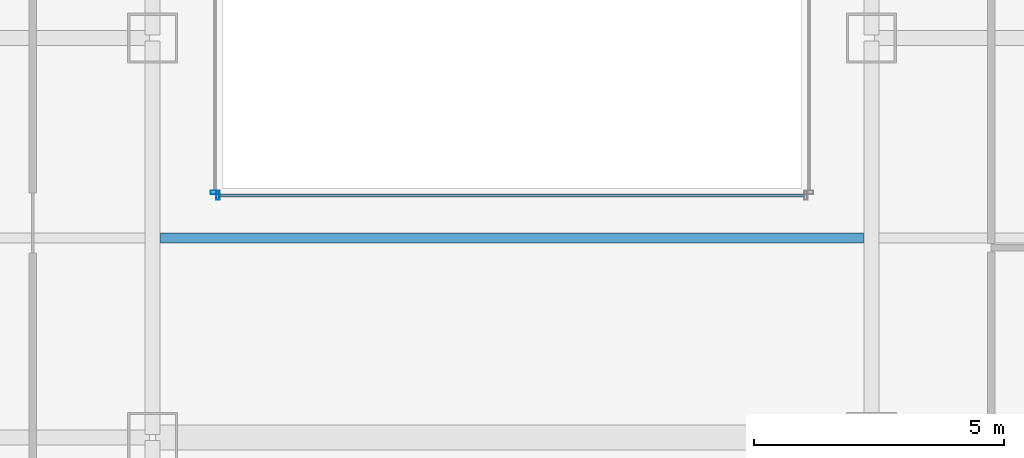
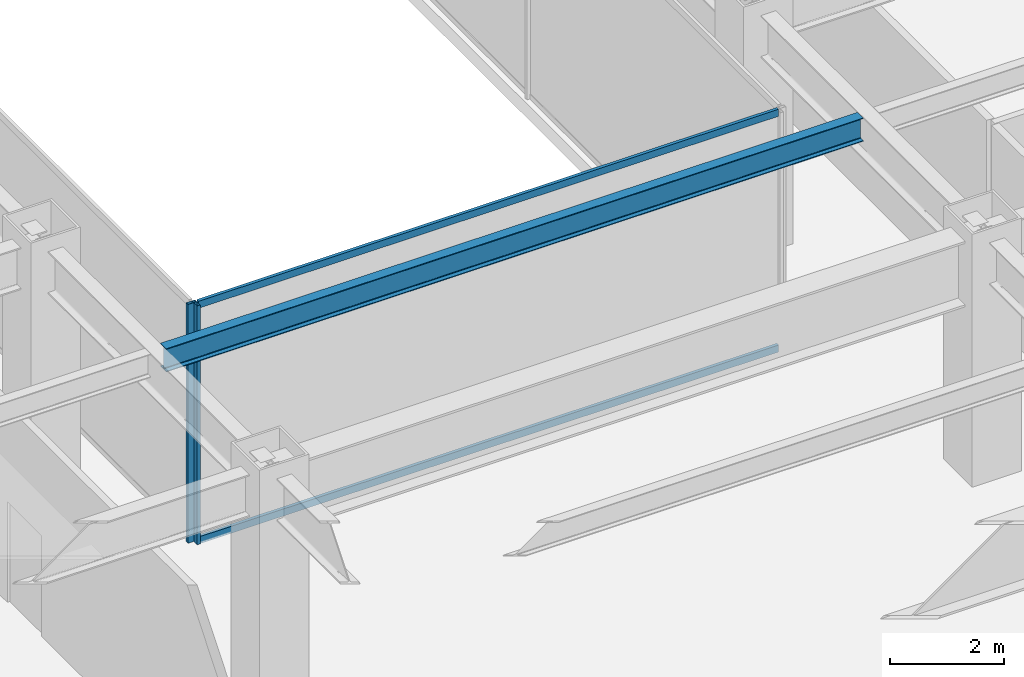
# One storey, part 12 of 52: 4 members, 1 beam, 2 elements without a shape of their own.
"""IFC4 building model written with IfcOpenShell, lengths in metres."""

import ifcopenshell
import ifcopenshell.guid

model = None  # the IFC model being written
_history = None  # IfcOwnerHistory: only IFC2X3 demands one
_inside = {}  # id of a spatial element -> (the spatial element, [elements in it])
_under = {}  # id of a project, library or spatial element -> (it, [spatial elements below it])
_declared = {}  # id of a project -> (the project, [libraries it declares])
_typed = {}  # id of a type object -> (the type object, [elements of that type])
_made_of = {}  # id of a material, layer set ... -> (it, [elements and type objects made of it])


def new_model(schema):
    """Start an empty IFC model of exactly this schema.

    Asked for "IFC4X3", IfcOpenShell would pick the latest addendum, in which some entities
    have other attributes; the version numbers below select the first issue.
    IFC2X3 requires an IfcOwnerHistory on every rooted entity: one is made here for all.
    """
    global model, _history
    if schema == "IFC4X3":
        model = ifcopenshell.file(schema_version=(4, 3, 0, 0))
    else:
        model = ifcopenshell.file(schema=schema)
    _inside.clear()
    _under.clear()
    _declared.clear()
    _typed.clear()
    _made_of.clear()
    _history = None
    if model.schema == "IFC2X3":
        org = make("IfcOrganization", Name="unknown")
        user = make(
            "IfcPersonAndOrganization",
            ThePerson=make("IfcPerson", FamilyName="unknown"),
            TheOrganization=org,
        )
        app = make(
            "IfcApplication",
            ApplicationDeveloper=org,
            Version="unknown",
            ApplicationFullName="unknown",
            ApplicationIdentifier="unknown",
        )
        _history = make(
            "IfcOwnerHistory",
            OwningUser=user,
            OwningApplication=app,
            ChangeAction="ADDED",
            CreationDate=0,
        )
    return model


def make(cls, **values):
    """One entity of the class cls with the attributes given. An attribute that is None is left unset."""
    return model.create_entity(
        cls, **{name: value for name, value in values.items() if value is not None}
    )


def rooted(cls, **values):
    """An entity with a GlobalId (a new one), such as an element, a storey or a relation."""
    return make(cls, GlobalId=ifcopenshell.guid.new(), OwnerHistory=_history, **values)


def si_unit(unit_type, name, prefix=None):
    """IfcSIUnit, for example si_unit("LENGTHUNIT", "METRE", prefix="MILLI")."""
    return make("IfcSIUnit", UnitType=unit_type, Prefix=prefix, Name=name)


def assignment(units):
    """IfcUnitAssignment: the units of a project."""
    return None if units is None else make("IfcUnitAssignment", Units=units)


def point(xyz):
    """IfcCartesianPoint."""
    return None if xyz is None else make("IfcCartesianPoint", Coordinates=xyz)


def direction(xyz):
    """IfcDirection."""
    return None if xyz is None else make("IfcDirection", DirectionRatios=xyz)


def frame(location, z_axis=None, x_axis=None):
    """IfcAxis2Placement3D, a coordinate frame: its origin and axes. An axis left out is left unset."""
    return make(
        "IfcAxis2Placement3D",
        Location=point(location),
        Axis=direction(z_axis),
        RefDirection=direction(x_axis),
    )


def frame_2d(location, x_axis=None):
    """IfcAxis2Placement2D, a coordinate frame in the plane: its origin and x axis."""
    return make(
        "IfcAxis2Placement2D", Location=point(location), RefDirection=direction(x_axis)
    )


def origin():
    """The frame at (0, 0, 0) with its axes left unset."""
    return frame((0.0, 0.0, 0.0))


def origin_2d():
    """The frame at (0, 0) in the plane with its x axis left unset."""
    return frame_2d((0.0, 0.0))


def place(relative_to, where):
    """IfcLocalPlacement: puts the frame where relative to a parent placement (None: the world)."""
    return make(
        "IfcLocalPlacement", PlacementRelTo=relative_to, RelativePlacement=where
    )


def context(
    kind, dimensions, precision=None, world=None, true_north=None, identifier=None
):
    """IfcGeometricRepresentationContext, for example the 3D "Model" context."""
    return make(
        "IfcGeometricRepresentationContext",
        ContextIdentifier=identifier,
        ContextType=kind,
        CoordinateSpaceDimension=dimensions,
        Precision=precision,
        WorldCoordinateSystem=world,
        TrueNorth=true_north,
    )


def subcontext(parent, identifier, kind, view, scale=None):
    """IfcGeometricRepresentationSubContext, for example "Body" below "Model"."""
    return make(
        "IfcGeometricRepresentationSubContext",
        ContextIdentifier=identifier,
        ContextType=kind,
        ParentContext=parent,
        TargetScale=scale,
        TargetView=view,
    )


def project(units=None, contexts=None):
    """IfcProject with its units and contexts."""
    return rooted(
        "IfcProject",
        Name="project",
        RepresentationContexts=contexts,
        UnitsInContext=assignment(units),
    )


def spatial(cls, under=None, at=None, **own):
    """A site, building, storey or space (cls), placed at a placement, below another one or the project."""
    s = rooted(cls, ObjectPlacement=at, **own)
    if under is not None:
        _under.setdefault(under.id(), (under, []))[1].append(s)
    return s


def profile(cls, at=None, kind="AREA", **sizes):
    """A parametric profile (cls). Its sizes go by their IFC names, for example OverallWidth=200.0."""
    return make(cls, ProfileType=kind, Position=at, **sizes)


def hollow_rectangle(**sizes):
    """IfcRectangleHollowProfileDef."""
    return profile("IfcRectangleHollowProfileDef", **sizes)


def i_section(**sizes):
    """IfcIShapeProfileDef."""
    return profile("IfcIShapeProfileDef", **sizes)


def extrude(swept, where, along, depth):
    """IfcExtrudedAreaSolid: the profile swept, set in the frame where, extruded along a direction by depth."""
    return make(
        "IfcExtrudedAreaSolid",
        SweptArea=swept,
        Position=where,
        ExtrudedDirection=direction(along),
        Depth=depth,
    )


def shape(context_of_items, identifier, shape_type, items):
    """IfcShapeRepresentation: the items that make up one representation, for example the "Body"."""
    return make(
        "IfcShapeRepresentation",
        ContextOfItems=context_of_items,
        RepresentationIdentifier=identifier,
        RepresentationType=shape_type,
        Items=items,
    )


def material(Name=None, Category=None):
    """IfcMaterial."""
    return make("IfcMaterial", Name=Name, Category=Category)


def material_profile(
    of_material, cross_section, Name=None, Category=None, Priority=None
):
    """IfcMaterialProfile: a cross section and its material."""
    return make(
        "IfcMaterialProfile",
        Name=Name,
        Material=of_material,
        Profile=cross_section,
        Priority=Priority,
        Category=Category,
    )


def profile_set(profiles, Name=None, composite=None):
    """IfcMaterialProfileSet."""
    return make(
        "IfcMaterialProfileSet",
        Name=Name,
        MaterialProfiles=profiles,
        CompositeProfile=composite,
    )


def made_of(thing, what):
    """Note that an element or type object is made of a material, layer set ...; save() writes the relation."""
    if what is not None:
        _made_of.setdefault(what.id(), (what, []))[1].append(thing)
    return thing


def type_object(cls, material=None, **own):
    """A type object (cls), such as IfcWallType, which elements share."""
    return made_of(rooted(cls, **own), material)


def element(
    cls,
    number,
    at=None,
    inside=None,
    cuts=None,
    type_object=None,
    material=None,
    context=None,
    identifier="Body",
    shape_type=None,
    held_by="IfcProductDefinitionShape",
    body=None,
    shapes=None,
    **own,
):
    """One element of the class cls, such as IfcWall. Its Tag is "e" and its number.

    at: its placement. inside: the storey or other place that contains it. cuts: it is an
    opening in that element (IfcRelVoidsElement). A single representation is given by context,
    identifier, shape_type and body (its items); several are given by shapes. held_by: the class
    of the entity that holds the representations. save() writes the other relations.
    """
    e = rooted(cls, Tag="e%d" % number, ObjectPlacement=at, **own)
    if body is not None:
        shapes = [shape(context, identifier, shape_type, body)]
    if shapes is not None:
        e.Representation = make(held_by, Representations=shapes)
    if inside is not None:
        _inside.setdefault(inside.id(), (inside, []))[1].append(e)
    if cuts is not None:
        rooted(
            "IfcRelVoidsElement", RelatingBuildingElement=cuts, RelatedOpeningElement=e
        )
    if type_object is not None:
        _typed.setdefault(type_object.id(), (type_object, []))[1].append(e)
    return made_of(e, material)


def aggregate(whole, parts):
    """IfcRelAggregates: a whole, such as a stair, and the parts it consists of."""
    return rooted("IfcRelAggregates", RelatingObject=whole, RelatedObjects=parts)


def save(model, path):
    """Write the relations noted so far, then the file.

    IfcRelAggregates (storeys below a building ...), IfcRelContainedInSpatialStructure (elements
    in a storey), IfcRelDefinesByType, IfcRelAssociatesMaterial and IfcRelDeclares: one each for
    every whole, place, type object, material and project.
    """
    for whole, parts in _under.values():
        aggregate(whole, parts)
    for where, things in _inside.values():
        rooted(
            "IfcRelContainedInSpatialStructure",
            RelatedElements=things,
            RelatingStructure=where,
        )
    for kind, things in _typed.values():
        rooted("IfcRelDefinesByType", RelatedObjects=things, RelatingType=kind)
    for what, things in _made_of.values():
        rooted("IfcRelAssociatesMaterial", RelatedObjects=things, RelatingMaterial=what)
    for by, libraries in _declared.values():
        rooted("IfcRelDeclares", RelatingContext=by, RelatedDefinitions=libraries)
    model.write(path)


model = new_model("IFC4")

# Units and contexts
model_context = context("Model", 3, precision=1e-05, world=origin(), true_north=direction((0.0, 1.0)))
body_context = subcontext(model_context, "Body", "Model", "MODEL_VIEW")
ifc_project = project(units=[si_unit("LENGTHUNIT", "METRE"), si_unit("AREAUNIT", "SQUARE_METRE"), si_unit("VOLUMEUNIT", "CUBIC_METRE"), si_unit("PLANEANGLEUNIT", "RADIAN"), si_unit("MASSUNIT", "GRAM", prefix="KILO")], contexts=[model_context])

# Site, building, storey
site_placement = place(None, origin())
site = spatial("IfcSite", under=ifc_project, at=site_placement, CompositionType="ELEMENT")
building_placement = place(site_placement, origin())
building = spatial("IfcBuilding", under=site, at=building_placement, Name="Saevonmaru Cultural Tower", CompositionType="ELEMENT")
storey_placement = place(building_placement, frame((0.0, 0.0, 11.39990234375)))
storey = spatial("IfcBuildingStorey", under=building, at=storey_placement, Name="L02", CompositionType="ELEMENT", Elevation=11.39990234375)

# Beam
ifc_material_1 = material(Name="Steel SM355", Category="steel")
ifc_material_profile_1 = material_profile(ifc_material_1, i_section(OverallWidth=0.199951171875, OverallDepth=0.5, WebThickness=0.010009765625, FlangeThickness=0.01611328125, FilletRadius=0.02001953125, at=origin_2d()), Name="H-500x200x10x16")
ifc_profile_set_1 = profile_set([ifc_material_profile_1], Name="Steel SM355")
beam_type = type_object("IfcBeamType", Name="BM-J-H500", PredefinedType="JOIST", material=ifc_profile_set_1)
beam_placement = place(storey_placement, frame((22.9580078125, 20.0, 4.85009765625), z_axis=(1.0, 0.0, 0.0), x_axis=(0.0, 1.0, 0.0)))
element("IfcBeam", 1, at=beam_placement, inside=storey, type_object=beam_type, Name="L02 Secondary Floor Joist JC-2", PredefinedType="JOIST", context=body_context, shape_type="SweptSolid", body=[
    extrude(i_section(OverallWidth=0.199951171875, OverallDepth=0.5, WebThickness=0.010009765625, FlangeThickness=0.01611328125, FilletRadius=0.02001953125, at=origin_2d()), origin(), (0.0, 0.0, 1.0), 14.083984375),
])

# Curtain wall, member
ifc_material_2 = material(Name="Satin Bronze Anodised Aluminium", Category="aluminium")
curtain_wall_type = type_object("IfcCurtainWallType", Name="CW-ATR-GLZ", PredefinedType="NOTDEFINED", material=ifc_material_2)
curtain_wall_1_placement = place(storey_placement, origin())
curtain_wall_1 = element("IfcCurtainWall", 2, at=curtain_wall_1_placement, inside=storey, type_object=curtain_wall_type, Name="L02 Vertical Atrium Glazed Smoke Screen 1", PredefinedType="NOTDEFINED")
ifc_material_profile_2 = material_profile(ifc_material_2, hollow_rectangle(XDim=0.06494140625, YDim=0.179931640625, WallThickness=0.00390625, at=origin_2d()), Name="ALU-MULL-180x65x4")
ifc_profile_set_2 = profile_set([ifc_material_profile_2], Name="Satin Bronze Anodised Aluminium")
member_type_1 = type_object("IfcMemberType", Name="ML-CW-INT-180x65", PredefinedType="MULLION", material=ifc_profile_set_2)
member_1_placement = place(storey_placement, frame((24.110107421875, 20.85009765625, 0.0), z_axis=(0.0, 0.0, 1.0), x_axis=(1.0, 0.0, 0.0)))
member_1 = element("IfcMember", 3, at=member_1_placement, type_object=member_type_1, Name="CW-ATR-L02-1 mullion 1", PredefinedType="MULLION", context=body_context, shape_type="SweptSolid", body=[
    extrude(hollow_rectangle(XDim=0.06494140625, YDim=0.179931640625, WallThickness=0.00390625, at=origin_2d()), origin(), (0.0, 0.0, 1.0), 5.10009765625),
])

curtain_wall_2_placement = place(storey_placement, origin())
curtain_wall_2 = element("IfcCurtainWall", 4, at=curtain_wall_2_placement, inside=storey, type_object=curtain_wall_type, Name="L02 Vertical Atrium Glazed Smoke Screen 4", PredefinedType="NOTDEFINED")
member_2_placement = place(storey_placement, frame((24.050048828125, 20.909912109375, 0.0), z_axis=(0.0, 0.0, 1.0), x_axis=(0.0, -1.0, 0.0)))
member_2 = element("IfcMember", 5, at=member_2_placement, type_object=member_type_1, Name="CW-ATR-L02-4 mullion 3", PredefinedType="MULLION", context=body_context, shape_type="SweptSolid", body=[
    extrude(hollow_rectangle(XDim=0.06494140625, YDim=0.179931640625, WallThickness=0.00390625, at=origin_2d()), origin(), (0.0, 0.0, 1.0), 5.10009765625),
])
aggregate(curtain_wall_2, [member_2])

# Member
ifc_material_profile_3 = material_profile(ifc_material_2, hollow_rectangle(XDim=0.06494140625, YDim=0.14990234375, WallThickness=0.00390625, at=origin_2d()), Name="ALU-TRAN-150x65x4")
ifc_profile_set_3 = profile_set([ifc_material_profile_3], Name="Satin Bronze Anodised Aluminium")
member_type_2 = type_object("IfcMemberType", Name="TR-CW-INT-150x65", PredefinedType="USERDEFINED", material=ifc_profile_set_3)
member_3_placement = place(storey_placement, frame((24.142578125, 20.85009765625, 0.03271484375), z_axis=(1.0, 0.0, 0.0), x_axis=(0.0, 1.0, 0.0)))
member_3 = element("IfcMember", 6, at=member_3_placement, type_object=member_type_2, Name="CW-ATR-L02-1 transom 1.1", ObjectType="TRANSOM", PredefinedType="USERDEFINED", context=body_context, shape_type="SweptSolid", body=[
    extrude(hollow_rectangle(XDim=0.06494140625, YDim=0.14990234375, WallThickness=0.00390625, at=origin_2d()), origin(), (0.0, 0.0, 1.0), 11.71484375),
])

member_4_placement = place(storey_placement, frame((24.142578125, 20.85009765625, 5.067626953125), z_axis=(1.0, 0.0, 0.0), x_axis=(0.0, 1.0, 0.0)))
member_4 = element("IfcMember", 7, at=member_4_placement, type_object=member_type_2, Name="CW-ATR-L02-1 transom 1.2", ObjectType="TRANSOM", PredefinedType="USERDEFINED", context=body_context, shape_type="SweptSolid", body=[
    extrude(hollow_rectangle(XDim=0.06494140625, YDim=0.14990234375, WallThickness=0.00390625, at=origin_2d()), origin(), (0.0, 0.0, 1.0), 11.71484375),
])

aggregate(curtain_wall_1, [member_1, member_3, member_4])

save(model, "model.ifc")
